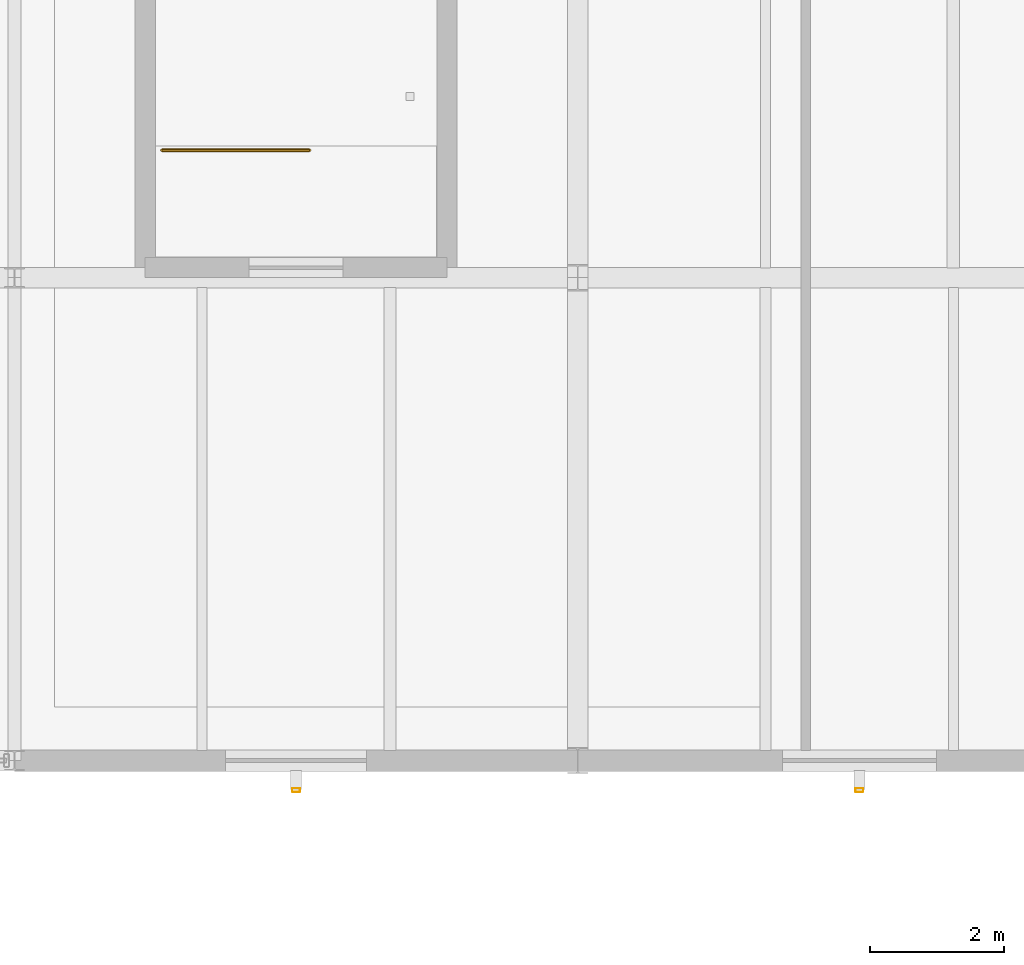
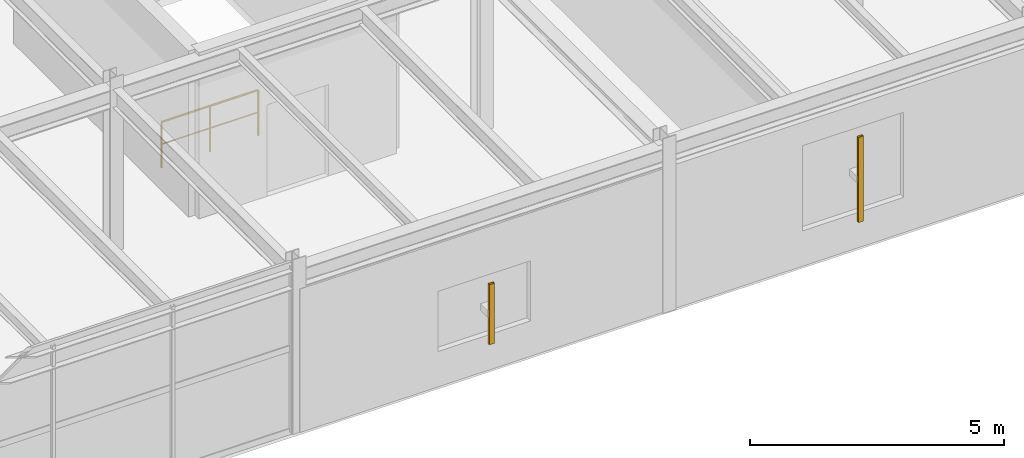
# One storey, part 84 of 109: 2 shading devices, 1 railing.
"""IFC4 building model written with IfcOpenShell, lengths in metres."""

from ifc_helpers import new_model, si_unit, derived_unit, direction, frame, origin, origin_2d, place, context, subcontext, project, spatial, hollow_rectangle, circle, extrude, material, material_profile, profile_set, type_object, element, save


model = new_model("IFC4")

# Units and contexts
model_context = context("Model", 3, precision=1e-05, world=origin(), true_north=direction((0.0, 1.0)))
body_context = subcontext(model_context, "Body", "Model", "MODEL_VIEW")
ifc_project = project(units=[si_unit("LENGTHUNIT", "METRE"), si_unit("AREAUNIT", "SQUARE_METRE"), si_unit("VOLUMEUNIT", "CUBIC_METRE"), si_unit("PLANEANGLEUNIT", "RADIAN"), si_unit("MASSUNIT", "GRAM", prefix="KILO"), derived_unit("THERMALTRANSMITTANCEUNIT", [(si_unit("MASSUNIT", "GRAM", prefix="KILO"), 1), (si_unit("TIMEUNIT", "SECOND"), -3), (si_unit("THERMODYNAMICTEMPERATUREUNIT", "KELVIN"), -1)])], contexts=[model_context])

# Site, building, storey
site_placement = place(None, origin())
site = spatial("IfcSite", under=ifc_project, at=site_placement, CompositionType="ELEMENT")
building_placement = place(site_placement, origin())
building = spatial("IfcBuilding", under=site, at=building_placement, Name="Kharveza Railside Sports Centre", CompositionType="ELEMENT")
storey_placement = place(building_placement, frame((0.0, 0.0, 4.5)))
storey = spatial("IfcBuildingStorey", under=building, at=storey_placement, Name="L01", CompositionType="ELEMENT", Elevation=4.5)

# Railing
ifc_material_1 = material(Name="Steel S275JR", Category="steel")
railing_type = type_object("IfcRailingType", Name="RL-GD110", PredefinedType="GUARDRAIL", material=ifc_material_1)
railing_placement = place(storey_placement, frame((111.39990234375, 16.300048828125, 0.0)))
element("IfcRailing", 1, at=railing_placement, inside=storey, type_object=railing_type, Name="RL-STTOP-ST12-L01", PredefinedType="GUARDRAIL", context=body_context, shape_type="SweptSolid", body=[
    extrude(circle(Radius=0.02392578125, at=origin_2d()), frame((0.0, 0.0, 1.09619140625), z_axis=(1.0, 0.0, 0.0), x_axis=(0.0, 1.0, 0.0)), (0.0, 0.0, 1.0), 2.2001953125),
    extrude(circle(Radius=0.01611328125, at=origin_2d()), frame((0.0, 0.0, 0.56005859375), z_axis=(1.0, 0.0, 0.0), x_axis=(0.0, 1.0, 0.0)), (0.0, 0.0, 1.0), 2.2001953125),
    extrude(circle(Radius=0.02099609375, at=origin_2d()), origin(), (0.0, 0.0, 1.0), 1.072021484375),
    extrude(circle(Radius=0.02099609375, at=origin_2d()), frame((1.10009765625, 0.0, 0.0)), (0.0, 0.0, 1.0), 1.072021484375),
    extrude(circle(Radius=0.02099609375, at=origin_2d()), frame((2.2001953125, 0.0, 0.0)), (0.0, 0.0, 1.0), 1.072021484375),
])

# Shading devices
ifc_material_2 = material(Name="Anodised aluminium 6063-T6", Category="aluminium")
ifc_material_profile = material_profile(ifc_material_2, hollow_rectangle(XDim=0.06005859375, YDim=0.1201171875, WallThickness=0.0048828125, InnerFilletRadius=0.0048828125, OuterFilletRadius=0.010009765625, at=origin_2d()), Name="RHS 60x120x5.0")
ifc_profile_set = profile_set([ifc_material_profile], Name="Anodised aluminium 6063-T6")
shading_device_type = type_object("IfcShadingDeviceType", Name="SD-LV01", PredefinedType="JALOUSIE", material=ifc_profile_set)
shading_device_1_placement = place(storey_placement, frame((113.39990234375, 6.760009765625, 0.85009765625), z_axis=(0.0, 0.0, 1.0), x_axis=(0.0, -1.0, 0.0)))
element("IfcShadingDevice", 2, at=shading_device_1_placement, inside=storey, type_object=shading_device_type, Name="SD-FIN-031", PredefinedType="JALOUSIE", context=body_context, shape_type="SweptSolid", body=[
    extrude(hollow_rectangle(XDim=0.06005859375, YDim=0.1201171875, WallThickness=0.0048828125, InnerFilletRadius=0.0048828125, OuterFilletRadius=0.010009765625, at=origin_2d()), origin(), (0.0, 0.0, 1.0), 1.449951171875),
])
shading_device_2_placement = place(storey_placement, frame((121.800048828125, 6.760009765625, 0.85009765625), z_axis=(0.0, 0.0, 1.0), x_axis=(0.0, -1.0, 0.0)))
element("IfcShadingDevice", 3, at=shading_device_2_placement, inside=storey, type_object=shading_device_type, Name="SD-FIN-032", PredefinedType="JALOUSIE", context=body_context, shape_type="SweptSolid", body=[
    extrude(hollow_rectangle(XDim=0.06005859375, YDim=0.1201171875, WallThickness=0.0048828125, InnerFilletRadius=0.0048828125, OuterFilletRadius=0.010009765625, at=origin_2d()), origin(), (0.0, 0.0, 1.0), 2.0498046875),
])

save(model, "model.ifc")
